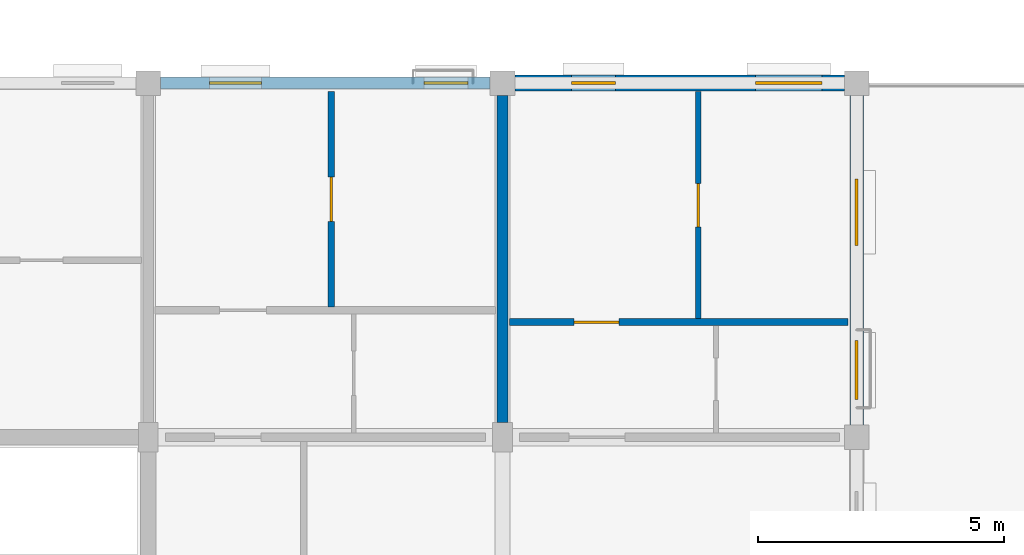
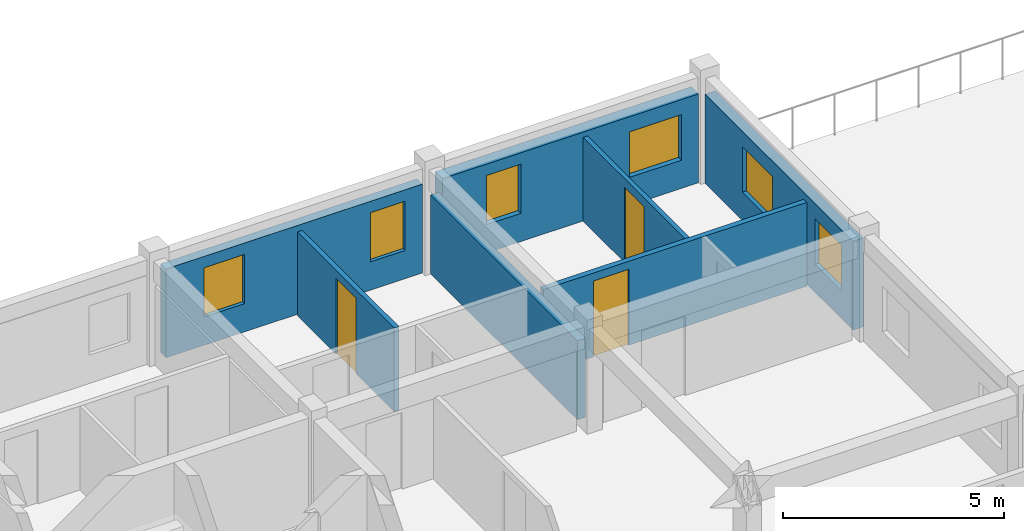
# One storey, part 57 of 64: 7 walls, 6 windows, 3 doors, 9 openings.
"""IFC4 building model written with IfcOpenShell, lengths in metres."""

from ifc_helpers import new_model, si_unit, direction, frame, frame_2d, origin, place, context, subcontext, project, spatial, rectangle, extrude, material, layer, layer_set, type_object, element, fill, save


model = new_model("IFC4")

# Units and contexts
model_context = context("Model", 3, precision=1e-05, world=origin(), true_north=direction((0.0, 1.0)))
body_context = subcontext(model_context, "Body", "Model", "MODEL_VIEW")
ifc_project = project(units=[si_unit("LENGTHUNIT", "METRE"), si_unit("AREAUNIT", "SQUARE_METRE"), si_unit("VOLUMEUNIT", "CUBIC_METRE"), si_unit("PLANEANGLEUNIT", "RADIAN"), si_unit("MASSUNIT", "GRAM", prefix="KILO"), si_unit("THERMODYNAMICTEMPERATUREUNIT", "KELVIN"), si_unit("POWERUNIT", "WATT")], contexts=[model_context])

# Site, building, storey
site_placement = place(None, origin())
site = spatial("IfcSite", under=ifc_project, at=site_placement, CompositionType="ELEMENT")
building_placement = place(site_placement, origin())
building = spatial("IfcBuilding", under=site, at=building_placement, Name="Tavuni Mirador Residences", CompositionType="ELEMENT")
storey_placement = place(building_placement, frame((0.0, 0.0, 26.550048828125)))
storey = spatial("IfcBuildingStorey", under=building, at=storey_placement, Name="L08", CompositionType="ELEMENT", Elevation=26.550048828125)

# Wall, openings, windows
ifc_material_1 = material(Name="Precast concrete C40/50", Category="concrete")
ifc_layer_1 = layer(ifc_material_1, 0.330078125, Name="Precast concrete C40/50", Category="concrete")
ifc_layer_set_1 = layer_set([ifc_layer_1], Name="Precast concrete C40/50")
wall_type_1 = type_object("IfcWallType", Name="WT-EXT-COR330", PredefinedType="SOLIDWALL", material=ifc_layer_set_1)
wall_1_placement = place(storey_placement, frame((60.949951171875, 172.800048828125, 0.0), z_axis=(0.0, 0.0, 1.0), x_axis=(-1.0, 0.0, 0.0)))
wall_1 = element("IfcWall", 1, at=wall_1_placement, inside=storey, type_object=wall_type_1, Name="EW-BLK-C-L08-N06", PredefinedType="SOLIDWALL", context=body_context, shape_type="SweptSolid", body=[
    extrude(rectangle(XDim=6.699951171875, YDim=0.330078125, at=frame_2d((3.35009765625, 0.0))), origin(), (0.0, 0.0, 1.0), 2.454833984375),
])
opening_1_placement = place(wall_1_placement, frame((0.449951171875, 0.0, 0.780029296875)))
opening_1 = element("IfcOpeningElement", 2, at=opening_1_placement, cuts=wall_1, Name="Opening WN-15", PredefinedType="OPENING", context=body_context, shape_type="SweptSolid", body=[
    extrude(rectangle(XDim=1.360107421875, YDim=1.260009765625, at=frame_2d((0.68017578125, 0.6298828125))), frame((0.0, 0.175048828125, 0.0), z_axis=(0.0, -1.0, 0.0), x_axis=(1.0, 0.0, 0.0)), (0.0, 0.0, 1.0), 0.35009765625),
])
opening_2_placement = place(wall_1_placement, frame((4.64990234375, 0.0, 0.780029296875)))
opening_2 = element("IfcOpeningElement", 3, at=opening_2_placement, cuts=wall_1, Name="Opening WN-17", PredefinedType="OPENING", context=body_context, shape_type="SweptSolid", body=[
    extrude(rectangle(XDim=0.89990234375, YDim=1.360107421875, at=frame_2d((0.449951171875, 0.68017578125))), frame((0.0, 0.175048828125, 0.0), z_axis=(0.0, -1.0, 0.0), x_axis=(1.0, 0.0, 0.0)), (0.0, 0.0, 1.0), 0.35009765625),
])
ifc_material_2 = material(Name="Laminated solar-control glass", Category="glass")
window_type_1 = type_object("IfcWindowType", Name="WNT-15", PartitioningType="SINGLE_PANEL", PredefinedType="WINDOW", material=ifc_material_2)
window_1_placement = place(opening_1_placement, origin())
window_1 = element("IfcWindow", 4, at=window_1_placement, inside=storey, type_object=window_type_1, Name="WIN-1206", OverallHeight=1.260009765625, OverallWidth=1.360107421875, PartitioningType="SINGLE_PANEL", PredefinedType="WINDOW", context=body_context, shape_type="SweptSolid", body=[
    extrude(rectangle(XDim=1.360107421875, YDim=1.260009765625, at=frame_2d((0.68017578125, 0.6298828125))), frame((0.0, 0.030029296875, 0.0), z_axis=(0.0, -1.0, 0.0), x_axis=(1.0, 0.0, 0.0)), (0.0, 0.0, 1.0), 0.06005859375),
])
fill(opening_1, window_1)
window_type_2 = type_object("IfcWindowType", Name="WNT-17", PartitioningType="SINGLE_PANEL", PredefinedType="WINDOW", material=ifc_material_2)
window_2_placement = place(opening_2_placement, origin())
window_2 = element("IfcWindow", 5, at=window_2_placement, inside=storey, type_object=window_type_2, Name="WIN-1207", OverallHeight=1.360107421875, OverallWidth=0.89990234375, PartitioningType="SINGLE_PANEL", PredefinedType="WINDOW", context=body_context, shape_type="SweptSolid", body=[
    extrude(rectangle(XDim=0.89990234375, YDim=1.360107421875, at=frame_2d((0.449951171875, 0.68017578125))), frame((0.0, 0.030029296875, 0.0), z_axis=(0.0, -1.0, 0.0), x_axis=(1.0, 0.0, 0.0)), (0.0, 0.0, 1.0), 0.06005859375),
])
fill(opening_2, window_2)

ifc_material_3 = material(Name="Sgraffito lime-rendered precast concrete C40/50", Category="concrete")
ifc_layer_2 = layer(ifc_material_3, 0.2451171875, Name="Sgraffito lime-rendered precast concrete C40/50", Category="concrete")
ifc_layer_set_2 = layer_set([ifc_layer_2], Name="Sgraffito lime-rendered precast concrete C40/50")
wall_type_2 = type_object("IfcWallType", Name="WT-EXT-PC245", PredefinedType="SOLIDWALL", material=ifc_layer_set_2)
wall_2_placement = place(storey_placement, frame((53.75, 172.800048828125, 0.0), z_axis=(0.0, 0.0, 1.0), x_axis=(-1.0, 0.0, 0.0)))
wall_2 = element("IfcWall", 6, at=wall_2_placement, inside=storey, type_object=wall_type_2, Name="EW-BLK-C-L08-N05", PredefinedType="SOLIDWALL", context=body_context, shape_type="SweptSolid", body=[
    extrude(rectangle(XDim=6.699951171875, YDim=0.2451171875, at=frame_2d((3.35009765625, 0.0))), origin(), (0.0, 0.0, 1.0), 2.454833984375),
])
opening_3_placement = place(wall_2_placement, frame((0.449951171875, 0.0, 0.780029296875)))
opening_3 = element("IfcOpeningElement", 7, at=opening_3_placement, cuts=wall_2, Name="Opening WN-17", PredefinedType="OPENING", context=body_context, shape_type="SweptSolid", body=[
    extrude(rectangle(XDim=0.89990234375, YDim=1.360107421875, at=frame_2d((0.449951171875, 0.68017578125))), frame((0.0, 0.132568359375, 0.0), z_axis=(0.0, -1.0, 0.0), x_axis=(1.0, 0.0, 0.0)), (0.0, 0.0, 1.0), 0.26513671875),
])
opening_4_placement = place(wall_2_placement, frame((4.64990234375, 0.0, 0.780029296875)))
opening_4 = element("IfcOpeningElement", 8, at=opening_4_placement, cuts=wall_2, Name="Opening WN-19", PredefinedType="OPENING", context=body_context, shape_type="SweptSolid", body=[
    extrude(rectangle(XDim=1.06005859375, YDim=1.360107421875, at=frame_2d((0.530029296875, 0.68017578125))), frame((0.0, 0.132568359375, 0.0), z_axis=(0.0, -1.0, 0.0), x_axis=(1.0, 0.0, 0.0)), (0.0, 0.0, 1.0), 0.26513671875),
])
window_3_placement = place(opening_3_placement, origin())
window_3 = element("IfcWindow", 9, at=window_3_placement, inside=storey, type_object=window_type_2, Name="WIN-1208", OverallHeight=1.360107421875, OverallWidth=0.89990234375, PartitioningType="SINGLE_PANEL", PredefinedType="WINDOW", context=body_context, shape_type="SweptSolid", body=[
    extrude(rectangle(XDim=0.89990234375, YDim=1.360107421875, at=frame_2d((0.449951171875, 0.68017578125))), frame((0.0, 0.030029296875, 0.0), z_axis=(0.0, -1.0, 0.0), x_axis=(1.0, 0.0, 0.0)), (0.0, 0.0, 1.0), 0.06005859375),
])
fill(opening_3, window_3)
window_type_3 = type_object("IfcWindowType", Name="WNT-19", PartitioningType="SINGLE_PANEL", PredefinedType="WINDOW", material=ifc_material_2)
window_4_placement = place(opening_4_placement, origin())
window_4 = element("IfcWindow", 10, at=window_4_placement, inside=storey, type_object=window_type_3, Name="WIN-1209", OverallHeight=1.360107421875, OverallWidth=1.06005859375, PartitioningType="SINGLE_PANEL", PredefinedType="WINDOW", context=body_context, shape_type="SweptSolid", body=[
    extrude(rectangle(XDim=1.06005859375, YDim=1.360107421875, at=frame_2d((0.530029296875, 0.68017578125))), frame((0.0, 0.030029296875, 0.0), z_axis=(0.0, -1.0, 0.0), x_axis=(1.0, 0.0, 0.0)), (0.0, 0.0, 1.0), 0.06005859375),
])
fill(opening_4, window_4)

ifc_layer_3 = layer(ifc_material_3, 0.27490234375, Name="Sgraffito lime-rendered precast concrete C40/50", Category="concrete")
ifc_layer_set_3 = layer_set([ifc_layer_3], Name="Sgraffito lime-rendered precast concrete C40/50")
wall_type_3 = type_object("IfcWallType", Name="WT-EXT-PC275", PredefinedType="SOLIDWALL", material=ifc_layer_set_3)
wall_3_placement = place(storey_placement, frame((61.199951171875, 165.85009765625, 0.0), z_axis=(0.0, 0.0, 1.0), x_axis=(0.0, 1.0, 0.0)))
wall_3 = element("IfcWall", 11, at=wall_3_placement, inside=storey, type_object=wall_type_3, Name="EW-BLK-C-L08-E03", PredefinedType="SOLIDWALL", context=body_context, shape_type="SweptSolid", body=[
    extrude(rectangle(XDim=6.699951171875, YDim=0.27490234375, at=frame_2d((3.35009765625, 0.0))), origin(), (0.0, 0.0, 1.0), 2.454833984375),
])
opening_5_placement = place(wall_3_placement, frame((0.514892578125, 0.0, 0.780029296875)))
opening_5 = element("IfcOpeningElement", 12, at=opening_5_placement, cuts=wall_3, Name="Opening WN-13", PredefinedType="OPENING", context=body_context, shape_type="SweptSolid", body=[
    extrude(rectangle(XDim=1.199951171875, YDim=1.260009765625, at=frame_2d((0.60009765625, 0.6298828125))), frame((0.0, 0.1474609375, 0.0), z_axis=(0.0, -1.0, 0.0), x_axis=(1.0, 0.0, 0.0)), (0.0, 0.0, 1.0), 0.294921875),
])
opening_6_placement = place(wall_3_placement, frame((3.64501953125, 0.0, 0.780029296875)))
opening_6 = element("IfcOpeningElement", 13, at=opening_6_placement, cuts=wall_3, Name="Opening WN-15", PredefinedType="OPENING", context=body_context, shape_type="SweptSolid", body=[
    extrude(rectangle(XDim=1.360107421875, YDim=1.260009765625, at=frame_2d((0.68017578125, 0.6298828125))), frame((0.0, 0.1474609375, 0.0), z_axis=(0.0, -1.0, 0.0), x_axis=(1.0, 0.0, 0.0)), (0.0, 0.0, 1.0), 0.294921875),
])
window_type_4 = type_object("IfcWindowType", Name="WNT-13", PartitioningType="SINGLE_PANEL", PredefinedType="WINDOW", material=ifc_material_2)
window_5_placement = place(opening_5_placement, origin())
window_5 = element("IfcWindow", 14, at=window_5_placement, inside=storey, type_object=window_type_4, Name="WIN-1204", OverallHeight=1.260009765625, OverallWidth=1.199951171875, PartitioningType="SINGLE_PANEL", PredefinedType="WINDOW", context=body_context, shape_type="SweptSolid", body=[
    extrude(rectangle(XDim=1.199951171875, YDim=1.260009765625, at=frame_2d((0.60009765625, 0.6298828125))), frame((0.0, 0.030029296875, 0.0), z_axis=(0.0, -1.0, 0.0), x_axis=(1.0, 0.0, 0.0)), (0.0, 0.0, 1.0), 0.06005859375),
])
fill(opening_5, window_5)
window_6_placement = place(opening_6_placement, origin())
window_6 = element("IfcWindow", 15, at=window_6_placement, inside=storey, type_object=window_type_1, Name="WIN-1205", OverallHeight=1.260009765625, OverallWidth=1.360107421875, PartitioningType="SINGLE_PANEL", PredefinedType="WINDOW", context=body_context, shape_type="SweptSolid", body=[
    extrude(rectangle(XDim=1.360107421875, YDim=1.260009765625, at=frame_2d((0.68017578125, 0.6298828125))), frame((0.0, 0.030029296875, 0.0), z_axis=(0.0, -1.0, 0.0), x_axis=(1.0, 0.0, 0.0)), (0.0, 0.0, 1.0), 0.06005859375),
])
fill(opening_6, window_6)

# Wall, opening, door
ifc_material_4 = material(Name="Acoustic gypsum and concrete block partition", Category="concrete")
ifc_layer_4 = layer(ifc_material_4, 0.114990234375, Name="Acoustic gypsum and concrete block partition", Category="concrete")
ifc_layer_set_4 = layer_set([ifc_layer_4], Name="Acoustic gypsum and concrete block partition")
wall_type_4 = type_object("IfcWallType", Name="WT-PART115", PredefinedType="PARTITIONING", material=ifc_layer_set_4)
wall_4_placement = place(storey_placement, frame((57.97998046875, 168.010009765625, 0.0), z_axis=(0.0, 0.0, 1.0), x_axis=(0.0, 1.0, 0.0)))
wall_4 = element("IfcWall", 16, at=wall_4_placement, inside=storey, type_object=wall_type_4, Name="PW-BLK-C-L08-N06-OUT", PredefinedType="PARTITIONING", context=body_context, shape_type="SweptSolid", body=[
    extrude(rectangle(XDim=4.614990234375, YDim=0.114990234375, at=frame_2d((2.3076171875, 0.0))), origin(), (0.0, 0.0, 1.0), 2.320068359375),
])
opening_7_placement = place(wall_4_placement, frame((1.867431640625, 0.0, 0.0)))
opening_7 = element("IfcOpeningElement", 17, at=opening_7_placement, cuts=wall_4, Name="Opening D-08", PredefinedType="OPENING", context=body_context, shape_type="SweptSolid", body=[
    extrude(rectangle(XDim=0.8798828125, YDim=2.080078125, at=frame_2d((0.43994140625, 1.0400390625))), frame((0.0, 0.0673828125, 0.0), z_axis=(0.0, -1.0, 0.0), x_axis=(1.0, 0.0, 0.0)), (0.0, 0.0, 1.0), 0.135009765625),
])
ifc_material_5 = material(Name="Solid core iroko timber", Category="wood")
door_type_1 = type_object("IfcDoorType", Name="DT-BED880", OperationType="NOTDEFINED", PredefinedType="DOOR", material=ifc_material_5)
door_1_placement = place(opening_7_placement, origin())
door_1 = element("IfcDoor", 18, at=door_1_placement, inside=storey, type_object=door_type_1, Name="DR-4110", OperationType="SINGLE_SWING_LEFT", OverallHeight=2.080078125, OverallWidth=0.8798828125, PredefinedType="DOOR", context=body_context, shape_type="SweptSolid", body=[
    extrude(rectangle(XDim=0.8798828125, YDim=2.080078125, at=frame_2d((0.43994140625, 1.0400390625))), frame((0.0, 0.02490234375, 0.0), z_axis=(0.0, -1.0, 0.0), x_axis=(1.0, 0.0, 0.0)), (0.0, 0.0, 1.0), 0.050048828125),
])
fill(opening_7, door_1)

ifc_layer_5 = layer(ifc_material_4, 0.125, Name="Acoustic gypsum and concrete block partition", Category="concrete")
ifc_layer_set_5 = layer_set([ifc_layer_5], Name="Acoustic gypsum and concrete block partition")
wall_type_5 = type_object("IfcWallType", Name="WT-PART125", PredefinedType="PARTITIONING", material=ifc_layer_set_5)
wall_5_placement = place(storey_placement, frame((50.52001953125, 168.25, 0.0), z_axis=(0.0, 0.0, 1.0), x_axis=(0.0, 1.0, 0.0)))
wall_5 = element("IfcWall", 19, at=wall_5_placement, inside=storey, type_object=wall_type_5, Name="PW-BLK-C-L08-N05-OUT", PredefinedType="PARTITIONING", context=body_context, shape_type="SweptSolid", body=[
    extrude(rectangle(XDim=4.375, YDim=0.125, at=frame_2d((2.1875, 0.0))), origin(), (0.0, 0.0, 1.0), 2.320068359375),
])
opening_8_placement = place(wall_5_placement, frame((1.737548828125, 0.0, 0.0)))
opening_8 = element("IfcOpeningElement", 20, at=opening_8_placement, cuts=wall_5, Name="Opening D-07", PredefinedType="OPENING", context=body_context, shape_type="SweptSolid", body=[
    extrude(rectangle(XDim=0.89990234375, YDim=2.10009765625, at=frame_2d((0.449951171875, 1.050048828125))), frame((0.0, 0.072509765625, 0.0), z_axis=(0.0, -1.0, 0.0), x_axis=(1.0, 0.0, 0.0)), (0.0, 0.0, 1.0), 0.14501953125),
])
door_type_2 = type_object("IfcDoorType", Name="DT-BED900", OperationType="NOTDEFINED", PredefinedType="DOOR", material=ifc_material_5)
door_2_placement = place(opening_8_placement, origin())
door_2 = element("IfcDoor", 21, at=door_2_placement, inside=storey, type_object=door_type_2, Name="DR-4106", OperationType="SINGLE_SWING_RIGHT", OverallHeight=2.10009765625, OverallWidth=0.89990234375, PredefinedType="DOOR", context=body_context, shape_type="SweptSolid", body=[
    extrude(rectangle(XDim=0.89990234375, YDim=2.10009765625, at=frame_2d((0.449951171875, 1.050048828125))), frame((0.0, 0.02490234375, 0.0), z_axis=(0.0, -1.0, 0.0), x_axis=(1.0, 0.0, 0.0)), (0.0, 0.0, 1.0), 0.050048828125),
])
fill(opening_8, door_2)

ifc_layer_6 = layer(ifc_material_4, 0.139892578125, Name="Acoustic gypsum and concrete block partition", Category="concrete")
ifc_layer_set_6 = layer_set([ifc_layer_6], Name="Acoustic gypsum and concrete block partition")
wall_type_6 = type_object("IfcWallType", Name="WT-PART140", PredefinedType="PARTITIONING", material=ifc_layer_set_6)
wall_6_placement = place(storey_placement, frame((54.139892578125, 167.93994140625, 0.0), z_axis=(0.0, 0.0, 1.0), x_axis=(1.0, 0.0, 0.0)))
wall_6 = element("IfcWall", 22, at=wall_6_placement, inside=storey, type_object=wall_type_6, Name="PW-BLK-C-L08-N06-MID", PredefinedType="PARTITIONING", context=body_context, shape_type="SweptSolid", body=[
    extrude(rectangle(XDim=6.885009765625, YDim=0.139892578125, at=frame_2d((3.4423828125, 0.0))), origin(), (0.0, 0.0, 1.0), 2.320068359375),
])
opening_9_placement = place(wall_6_placement, frame((1.31005859375, 0.0, 0.0)))
opening_9 = element("IfcOpeningElement", 23, at=opening_9_placement, cuts=wall_6, Name="Opening D-06", PredefinedType="OPENING", context=body_context, shape_type="SweptSolid", body=[
    extrude(rectangle(XDim=0.919921875, YDim=2.10009765625, at=frame_2d((0.4599609375, 1.050048828125))), frame((0.0, 0.080078125, 0.0), z_axis=(0.0, -1.0, 0.0), x_axis=(1.0, 0.0, 0.0)), (0.0, 0.0, 1.0), 0.159912109375),
])
door_type_3 = type_object("IfcDoorType", Name="DT-INT920", OperationType="NOTDEFINED", PredefinedType="DOOR", material=ifc_material_5)
door_3_placement = place(opening_9_placement, origin())
door_3 = element("IfcDoor", 24, at=door_3_placement, inside=storey, type_object=door_type_3, Name="DR-4112", OperationType="SINGLE_SWING_RIGHT", OverallHeight=2.10009765625, OverallWidth=0.919921875, PredefinedType="DOOR", context=body_context, shape_type="SweptSolid", body=[
    extrude(rectangle(XDim=0.919921875, YDim=2.10009765625, at=frame_2d((0.4599609375, 1.050048828125))), frame((0.0, 0.02490234375, 0.0), z_axis=(0.0, -1.0, 0.0), x_axis=(1.0, 0.0, 0.0)), (0.0, 0.0, 1.0), 0.050048828125),
])
fill(opening_9, door_3)

# Wall
ifc_layer_7 = layer(ifc_material_1, 0.215087890625, Name="Precast concrete C40/50", Category="concrete")
ifc_layer_set_7 = layer_set([ifc_layer_7], Name="Precast concrete C40/50")
wall_type_7 = type_object("IfcWallType", Name="WT-XW215", PredefinedType="SOLIDWALL", material=ifc_layer_set_7)
wall_7_placement = place(storey_placement, frame((54.0, 165.89990234375, 0.0), z_axis=(0.0, 0.0, 1.0), x_axis=(0.0, 1.0, 0.0)))
element("IfcWall", 25, at=wall_7_placement, inside=storey, type_object=wall_type_7, Name="XW-BLK-C-L08-N-06", PredefinedType="SOLIDWALL", context=body_context, shape_type="SweptSolid", body=[
    extrude(rectangle(XDim=6.650146484375, YDim=0.215087890625, at=frame_2d((3.3251953125, 0.0))), origin(), (0.0, 0.0, 1.0), 2.18505859375),
])

save(model, "model.ifc")
